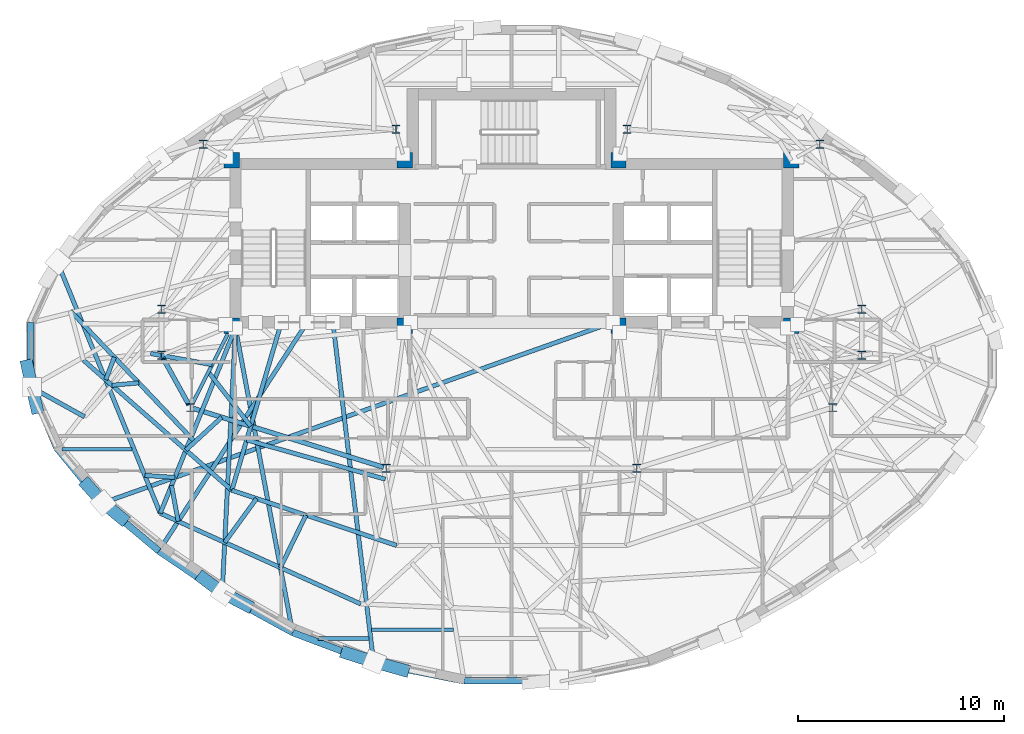
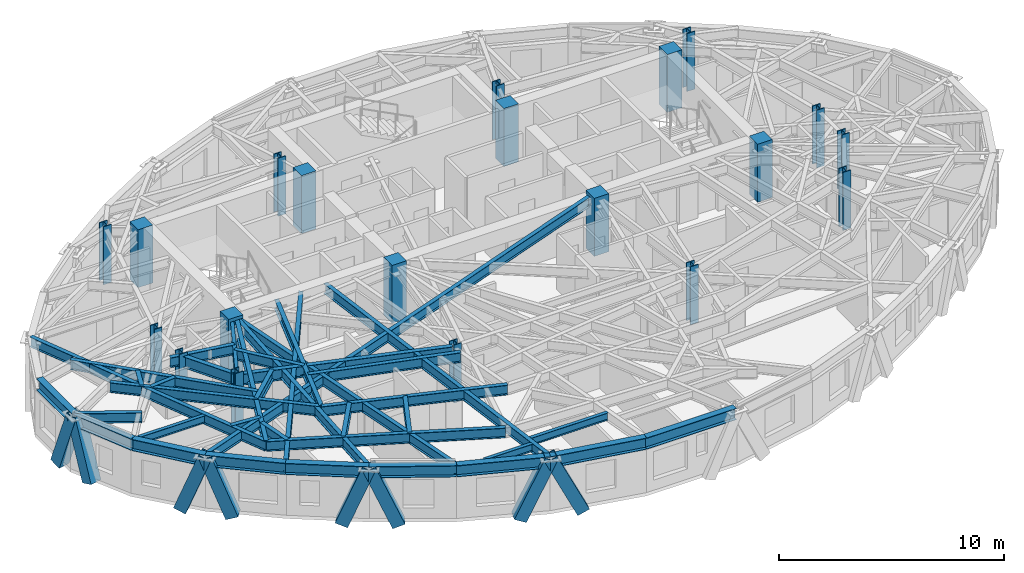
# One storey, part 1 of 14: 38 beams, 20 columns, 8 members.
"""IFC4 building model written with IfcOpenShell, lengths in metres."""

from ifc_helpers import new_model, si_unit, direction, frame, origin, origin_2d, place, context, subcontext, project, spatial, rectangle, hollow_rectangle, i_section, extrude, material, material_profile, profile_set, type_object, element, save


model = new_model("IFC4")

# Units and contexts
model_context = context("Model", 3, precision=1e-05, world=origin(), true_north=direction((0.0, 1.0)))
body_context = subcontext(model_context, "Body", "Model", "MODEL_VIEW")
ifc_project = project(units=[si_unit("LENGTHUNIT", "METRE"), si_unit("AREAUNIT", "SQUARE_METRE"), si_unit("VOLUMEUNIT", "CUBIC_METRE"), si_unit("PLANEANGLEUNIT", "RADIAN"), si_unit("MASSUNIT", "GRAM", prefix="KILO")], contexts=[model_context])

# Site, building, storey
site_placement = place(None, origin())
site = spatial("IfcSite", under=ifc_project, at=site_placement, CompositionType="ELEMENT")
building_placement = place(site_placement, origin())
building = spatial("IfcBuilding", under=site, at=building_placement, Name="Keldmark Tower", CompositionType="ELEMENT")
storey_placement = place(building_placement, frame((0.0, 0.0, 213.14990234375)))
storey = spatial("IfcBuildingStorey", under=building, at=storey_placement, Name="L59", CompositionType="ELEMENT", Elevation=213.14990234375)

# Columns
ifc_material_1 = material(Name="Concrete C50/60", Category="concrete")
ifc_material_profile_1 = material_profile(ifc_material_1, rectangle(XDim=0.75, YDim=0.75, at=origin_2d()), Name="RC750X750")
ifc_profile_set_1 = profile_set([ifc_material_profile_1], Name="Concrete C50/60")
column_type_1 = type_object("IfcColumnType", Name="Core Boundary Column RC750", PredefinedType="PILASTER", material=ifc_profile_set_1)
for number, where, z_axis, x_axis, name in (
    (1, (-13.60009765625, 1.39990234375, 0.0), (0.0, 0.0, 1.0), (1.0, 0.0, 0.0), "L59 Core Boundary Column CC-W1"),
    (2, (-13.60009765625, 9.449951171875, 0.0), (0.0, 0.0, 1.0), (1.0, 0.0, 0.0), "L59 Core Boundary Column CC-W2"),
    (3, (-5.199951171875, 1.39990234375, 0.0), (0.0, 0.0, 1.0), (1.0, 0.0, 0.0), "L59 Core Boundary Column CC-W3"),
    (4, (-5.199951171875, 9.449951171875, 0.0), (0.0, 0.0, 1.0), (1.0, 0.0, 0.0), "L59 Core Boundary Column CC-W4"),
    (5, (5.199951171875, 1.39990234375, 0.0), (0.0, 0.0, 1.0), (1.0, 0.0, 0.0), "L59 Core Boundary Column CC-E1"),
    (6, (5.199951171875, 9.449951171875, 0.0), (0.0, 0.0, 1.0), (1.0, 0.0, 0.0), "L59 Core Boundary Column CC-E2"),
    (7, (13.60009765625, 1.39990234375, 0.0), (0.0, 0.0, 1.0), (1.0, 0.0, 0.0), "L59 Core Boundary Column CC-E3"),
    (8, (13.60009765625, 9.449951171875, 0.0), (0.0, 0.0, 1.0), (1.0, 0.0, 0.0), "L59 Core Boundary Column CC-E4"),
):
    element("IfcColumn", number, at=place(storey_placement, frame(where, z_axis=z_axis, x_axis=x_axis)), inside=storey, type_object=column_type_1, Name=name, PredefinedType="PILASTER", context=body_context, shape_type="SweptSolid", body=[
        extrude(rectangle(XDim=0.75, YDim=0.75, at=origin_2d()), origin(), (0.0, 0.0, 1.0), 3.150146484375),
    ])
ifc_material_2 = material(Name="Steel ASTM A992 Grade 50", Category="steel")
ifc_material_profile_2 = material_profile(ifc_material_2, i_section(OverallWidth=0.404052734375, OverallDepth=0.406982421875, WebThickness=0.027099609375, FlangeThickness=0.043701171875, at=origin_2d()), Name="W14X233")
ifc_profile_set_2 = profile_set([ifc_material_profile_2], Name="Steel ASTM A992 Grade 50")
column_type_2 = type_object("IfcColumnType", Name="Tower Gravity Column W14X233", PredefinedType="COLUMN", material=ifc_profile_set_2)
for number, where, z_axis, x_axis, name in (
    (9, (17.025634765625, 2.2080078125, 0.0), (0.0, 0.0, 1.0), (1.0, 0.0, 0.0), "L59 Tower Gravity Column TC-E1"),
    (10, (14.995849609375, 10.24365234375, 0.0), (0.0, 0.0, 1.0), (1.0, 0.0, 0.0), "L59 Tower Gravity Column TC-E4"),
    (11, (5.61865234375, 10.967041015625, 0.0), (0.0, 0.0, 1.0), (1.0, 0.0, 0.0), "L59 Tower Gravity Column TC-N2"),
    (12, (-5.61865234375, 10.967041015625, 0.0), (0.0, 0.0, 1.0), (1.0, 0.0, 0.0), "L59 Tower Gravity Column TC-N1"),
    (13, (-14.995849609375, 10.24365234375, 0.0), (0.0, 0.0, 1.0), (1.0, 0.0, 0.0), "L59 Tower Gravity Column TC-W4"),
    (14, (-17.025634765625, 2.2080078125, 0.0), (0.0, 0.0, 1.0), (1.0, 0.0, 0.0), "L59 Tower Gravity Column TC-W1"),
    (15, (-17.025634765625, -0.02392578125, 0.0), (0.0, 0.0, 1.0), (1.0, 0.0, 0.0), "L59 Tower Gravity Column TC-W5"),
    (16, (-15.6162109375, -2.5673828125, 0.0), (0.0, 0.0, 1.0), (1.0, 0.0, 0.0), "L59 Tower Gravity Column TC-W2"),
    (17, (-6.089599609375, -5.512939453125, 0.0), (0.0, 0.0, 1.0), (1.0, 0.0, 0.0), "L59 Tower Gravity Column TC-W3"),
    (18, (6.089599609375, -5.512939453125, 0.0), (0.0, 0.0, 1.0), (1.0, 0.0, 0.0), "L59 Tower Gravity Column TC-E3"),
    (19, (15.6162109375, -2.5673828125, 0.0), (0.0, 0.0, 1.0), (1.0, 0.0, 0.0), "L59 Tower Gravity Column TC-E2"),
    (20, (17.025634765625, -0.02392578125, 0.0), (0.0, 0.0, 1.0), (1.0, 0.0, 0.0), "L59 Tower Gravity Column TC-E5"),
):
    element("IfcColumn", number, at=place(storey_placement, frame(where, z_axis=z_axis, x_axis=x_axis)), inside=storey, type_object=column_type_2, Name=name, PredefinedType="COLUMN", context=body_context, shape_type="SweptSolid", body=[
        extrude(i_section(OverallWidth=0.404052734375, OverallDepth=0.406982421875, WebThickness=0.027099609375, FlangeThickness=0.043701171875, at=origin_2d()), origin(), (0.0, 0.0, 1.0), 3.150146484375),
    ])

# Beams
ifc_material_3 = material(Name="Steel ASTM A992 Grade 50", Category="steel")
ifc_material_profile_3 = material_profile(ifc_material_3, i_section(OverallWidth=0.177978515625, OverallDepth=0.403076171875, WebThickness=0.007568359375, FlangeThickness=0.010986328125, at=origin_2d()), Name="W16X36")
ifc_profile_set_3 = profile_set([ifc_material_profile_3], Name="Steel ASTM A992 Grade 50")
beam_type_1 = type_object("IfcBeamType", Name="Composite Floor Joist W16X36", PredefinedType="JOIST", material=ifc_profile_set_3)
beam_1_placement = place(storey_placement, frame((-9.421875, -13.800048828125, 2.7685546875), z_axis=(1.0, 0.0, 0.0), x_axis=(0.0, 1.0, 0.0)))
element("IfcBeam", 21, at=beam_1_placement, inside=storey, type_object=beam_type_1, Name="L59 Composite Floor Joist J01", PredefinedType="JOIST", context=body_context, shape_type="SweptSolid", body=[
    extrude(i_section(OverallWidth=0.177978515625, OverallDepth=0.403076171875, WebThickness=0.007568359375, FlangeThickness=0.010986328125, at=origin_2d()), origin(), (0.0, 0.0, 1.0), 2.478515625),
])
beam_2_placement = place(storey_placement, frame((-6.80029296875, -13.3798828125, 2.7685546875), z_axis=(1.0, 0.0, 0.0), x_axis=(0.0, 1.0, 0.0)))
element("IfcBeam", 22, at=beam_2_placement, inside=storey, type_object=beam_type_1, Name="L59 Composite Floor Joist J02", PredefinedType="JOIST", context=body_context, shape_type="SweptSolid", body=[
    extrude(i_section(OverallWidth=0.177978515625, OverallDepth=0.403076171875, WebThickness=0.007568359375, FlangeThickness=0.010986328125, at=origin_2d()), origin(), (0.0, 0.0, 1.0), 3.981201171875),
])
beam_3_placement = place(storey_placement, frame((-21.857421875, -4.60009765625, 2.7685546875), z_axis=(1.0, 0.0, 0.0), x_axis=(0.0, 1.0, 0.0)))
element("IfcBeam", 23, at=beam_3_placement, inside=storey, type_object=beam_type_1, Name="L59 Composite Floor Joist J05", PredefinedType="JOIST", context=body_context, shape_type="SweptSolid", body=[
    extrude(i_section(OverallWidth=0.177978515625, OverallDepth=0.403076171875, WebThickness=0.007568359375, FlangeThickness=0.010986328125, at=origin_2d()), origin(), (0.0, 0.0, 1.0), 3.39892578125),
])

# Members
ifc_material_4 = material(Name="Steel ASTM A572 Grade 50", Category="steel")
ifc_material_profile_4 = material_profile(ifc_material_4, hollow_rectangle(XDim=0.60009765625, YDim=0.60009765625, WallThickness=0.034912109375, at=origin_2d()), Name="BOX600X600X35")
ifc_profile_set_4 = profile_set([ifc_material_profile_4], Name="Steel ASTM A572 Grade 50")
member_type = type_object("IfcMemberType", Name="Diagrid Zone 4 Brace BOX600X600X35", PredefinedType="BRACE", material=ifc_profile_set_4)
member_1_placement = place(storey_placement, frame((-23.54931640625, -0.531494140625, -0.260009765625), z_axis=(0.068502919158, -0.315395761199, 0.946484476304), x_axis=(0.97721582246, 0.212248053783, 0.0)))
element("IfcMember", 24, at=member_1_placement, inside=storey, type_object=member_type, Name="L59 Perimeter Diagrid Brace 08B", PredefinedType="BRACE", context=body_context, shape_type="SweptSolid", body=[
    extrude(hollow_rectangle(XDim=0.60009765625, YDim=0.60009765625, WallThickness=0.034912109375, at=origin_2d()), origin(), (0.0, 0.0, 1.0), 3.285888671875),
])
member_2_placement = place(storey_placement, frame((-23.090576171875, -2.5703125, -0.260009765625), z_axis=(-0.071240844501, 0.309231419076, 0.948314647957), x_axis=(-0.974474157233, -0.224499703532, 0.0)))
element("IfcMember", 25, at=member_2_placement, inside=storey, type_object=member_type, Name="L59 Perimeter Diagrid Brace 09A", PredefinedType="BRACE", context=body_context, shape_type="SweptSolid", body=[
    extrude(hollow_rectangle(XDim=0.60009765625, YDim=0.60009765625, WallThickness=0.034912109375, at=origin_2d()), origin(), (0.0, 0.0, 1.0), 3.279541015625),
])
member_3_placement = place(storey_placement, frame((-20.645263671875, -6.325927734375, -0.260009765625), z_axis=(0.236178134842, -0.263709002286, 0.935241920968), x_axis=(0.744921219143, 0.667152439305, 0.0)))
element("IfcMember", 26, at=member_3_placement, inside=storey, type_object=member_type, Name="L59 Perimeter Diagrid Brace 09B", PredefinedType="BRACE", context=body_context, shape_type="SweptSolid", body=[
    extrude(hollow_rectangle(XDim=0.60009765625, YDim=0.60009765625, WallThickness=0.034912109375, at=origin_2d()), origin(), (0.0, 0.0, 1.0), 3.325439453125),
])
member_4_placement = place(storey_placement, frame((-18.9375, -7.96240234375, -0.260009765625), z_axis=(-0.277921853102, 0.230930589027, 0.932432574839), x_axis=(-0.639087912898, -0.769133694222, 0.0)))
element("IfcMember", 27, at=member_4_placement, inside=storey, type_object=member_type, Name="L59 Perimeter Diagrid Brace 10A", PredefinedType="BRACE", context=body_context, shape_type="SweptSolid", body=[
    extrude(hollow_rectangle(XDim=0.60009765625, YDim=0.60009765625, WallThickness=0.034912109375, at=origin_2d()), origin(), (0.0, 0.0, 1.0), 3.33544921875),
])
member_5_placement = place(storey_placement, frame((-15.006103515625, -10.8642578125, -0.260009765625), z_axis=(0.293317377522, -0.217759288743, 0.930884422584), x_axis=(0.596088275288, 0.802918905036, 0.0)))
element("IfcMember", 28, at=member_5_placement, inside=storey, type_object=member_type, Name="L59 Perimeter Diagrid Brace 10B", PredefinedType="BRACE", context=body_context, shape_type="SweptSolid", body=[
    extrude(hollow_rectangle(XDim=0.60009765625, YDim=0.60009765625, WallThickness=0.034912109375, at=origin_2d()), origin(), (0.0, 0.0, 1.0), 3.341064453125),
])
member_6_placement = place(storey_placement, frame((-12.867919921875, -12.19140625, -0.260009765625), z_axis=(-0.345442367388, 0.180023335035, 0.921010949803), x_axis=(-0.462147317946, -0.886803166726, 0.0)))
element("IfcMember", 29, at=member_6_placement, inside=storey, type_object=member_type, Name="L59 Perimeter Diagrid Brace 11A", PredefinedType="BRACE", context=body_context, shape_type="SweptSolid", body=[
    extrude(hollow_rectangle(XDim=0.60009765625, YDim=0.60009765625, WallThickness=0.034912109375, at=origin_2d()), origin(), (0.0, 0.0, 1.0), 3.376953125),
])
member_7_placement = place(storey_placement, frame((-8.02001953125, -14.50732421875, -0.260009765625), z_axis=(0.393530898257, -0.125815509706, 0.910661237582), x_axis=(0.304524591203, 0.95250447419, 0.0)))
element("IfcMember", 30, at=member_7_placement, inside=storey, type_object=member_type, Name="L59 Perimeter Diagrid Brace 11B", PredefinedType="BRACE", context=body_context, shape_type="SweptSolid", body=[
    extrude(hollow_rectangle(XDim=0.60009765625, YDim=0.60009765625, WallThickness=0.034912109375, at=origin_2d()), origin(), (0.0, 0.0, 1.0), 3.415283203125),
])
member_8_placement = place(storey_placement, frame((-5.25390625, -15.3330078125, -0.260009765625), z_axis=(-0.4156658621, 0.116131518542, 0.902072813849), x_axis=(-0.269082155507, -0.963117227334, 0.0)))
element("IfcMember", 31, at=member_8_placement, inside=storey, type_object=member_type, Name="L59 Perimeter Diagrid Brace 12A", PredefinedType="BRACE", context=body_context, shape_type="SweptSolid", body=[
    extrude(hollow_rectangle(XDim=0.60009765625, YDim=0.60009765625, WallThickness=0.034912109375, at=origin_2d()), origin(), (0.0, 0.0, 1.0), 3.44775390625),
])

# Beams
ifc_material_5 = material(Name="Steel ASTM A992 Grade 50", Category="steel")
ifc_material_profile_5 = material_profile(ifc_material_5, i_section(OverallWidth=0.22802734375, OverallDepth=0.60302734375, WebThickness=0.010498046875, FlangeThickness=0.014892578125, at=origin_2d()), Name="W24X68")
ifc_profile_set_5 = profile_set([ifc_material_profile_5], Name="Steel ASTM A992 Grade 50")
beam_type_2 = type_object("IfcBeamType", Name="Primary Floor Girder W24X68", PredefinedType="BEAM", material=ifc_profile_set_5)
beam_4_placement = place(storey_placement, frame((-16.957763671875, -0.146484375, 2.668701171875), z_axis=(0.484719680408, -0.874669555561, 0.0), x_axis=(0.874669555561, 0.484719680408, 0.0)))
element("IfcBeam", 32, at=beam_4_placement, inside=storey, type_object=beam_type_2, Name="L59 Floor Ring Girder FG-R07", PredefinedType="BEAM", context=body_context, shape_type="SweptSolid", body=[
    extrude(i_section(OverallWidth=0.22802734375, OverallDepth=0.60302734375, WebThickness=0.010498046875, FlangeThickness=0.014892578125, at=origin_2d()), origin(), (0.0, 0.0, 1.0), 2.627685546875),
])
beam_5_placement = place(storey_placement, frame((-15.482421875, -2.60888671875, 2.668701171875), z_axis=(0.955383255089, -0.295368982622, 0.0), x_axis=(0.295368982622, 0.955383255089, 0.0)))
element("IfcBeam", 33, at=beam_5_placement, inside=storey, type_object=beam_type_2, Name="L59 Floor Ring Girder FG-R08", PredefinedType="BEAM", context=body_context, shape_type="SweptSolid", body=[
    extrude(i_section(OverallWidth=0.22802734375, OverallDepth=0.60302734375, WebThickness=0.010498046875, FlangeThickness=0.014892578125, at=origin_2d()), origin(), (0.0, 0.0, 1.0), 9.69140625),
])
ifc_material_6 = material(Name="Steel ASTM A992 Grade 50", Category="steel")
ifc_material_profile_6 = material_profile(ifc_material_6, i_section(OverallWidth=0.166015625, OverallDepth=0.529052734375, WebThickness=0.009765625, FlangeThickness=0.013671875, at=origin_2d()), Name="W21X50")
ifc_profile_set_6 = profile_set([ifc_material_profile_6], Name="Steel ASTM A992 Grade 50")
beam_type_3 = type_object("IfcBeamType", Name="Radial Tie Girder W21X50", PredefinedType="BEAM", material=ifc_profile_set_6)
beam_6_placement = place(storey_placement, frame((-15.552734375, -2.442626953125, 2.70556640625), z_axis=(0.453004410574, 0.89150827478, 0.0), x_axis=(-0.89150827478, 0.453004410574, 0.0)))
element("IfcBeam", 34, at=beam_6_placement, inside=storey, type_object=beam_type_3, Name="L59 Floor Radial Girder FG-C08", PredefinedType="BEAM", context=body_context, shape_type="SweptSolid", body=[
    extrude(i_section(OverallWidth=0.166015625, OverallDepth=0.529052734375, WebThickness=0.009765625, FlangeThickness=0.013671875, at=origin_2d()), origin(), (0.0, 0.0, 1.0), 3.990234375),
])
ifc_material_7 = material(Name="Steel ASTM A992 Grade 50", Category="steel")
ifc_material_profile_7 = material_profile(ifc_material_7, i_section(OverallWidth=0.2099609375, OverallDepth=0.537109375, WebThickness=0.010986328125, FlangeThickness=0.017333984375, at=origin_2d()), Name="W21X68")
ifc_profile_set_7 = profile_set([ifc_material_profile_7], Name="Steel ASTM A992 Grade 50")
beam_type_4 = type_object("IfcBeamType", Name="Radial Tie Girder W21X68", PredefinedType="BEAM", material=ifc_profile_set_7)
beam_7_placement = place(storey_placement, frame((-14.55859375, -0.486083984375, 2.70166015625), z_axis=(-0.983785097233, 0.1793512823, 0.0), x_axis=(-0.1793512823, -0.983785097233, 0.0)))
element("IfcBeam", 35, at=beam_7_placement, inside=storey, type_object=beam_type_4, Name="L59 Framing Pin Header PH-001", PredefinedType="BEAM", context=body_context, shape_type="SweptSolid", body=[
    extrude(i_section(OverallWidth=0.2099609375, OverallDepth=0.537109375, WebThickness=0.010986328125, FlangeThickness=0.017333984375, at=origin_2d()), origin(), (0.0, 0.0, 1.0), 3.043701171875),
])
beam_8_placement = place(storey_placement, frame((-14.7392578125, -0.841796875, 2.70166015625), z_axis=(0.615598661566, -0.788059825063, 0.0), x_axis=(0.788059825063, 0.615598661566, 0.0)))
element("IfcBeam", 36, at=beam_8_placement, inside=storey, type_object=beam_type_4, Name="L59 Framing Pin Header PH-002", PredefinedType="BEAM", context=body_context, shape_type="SweptSolid", body=[
    extrude(i_section(OverallWidth=0.2099609375, OverallDepth=0.537109375, WebThickness=0.010986328125, FlangeThickness=0.017333984375, at=origin_2d()), origin(), (0.0, 0.0, 1.0), 3.3408203125),
])
beam_9_placement = place(storey_placement, frame((-11.19287109375, 1.574951171875, 2.70166015625), z_axis=(-0.282943960261, -0.959136442511, 0.0), x_axis=(0.959136442511, -0.282943960261, 0.0)))
element("IfcBeam", 37, at=beam_9_placement, inside=storey, type_object=beam_type_4, Name="L59 Sub-Ring Step Girder STP1-M08", PredefinedType="BEAM", context=body_context, shape_type="SweptSolid", body=[
    extrude(i_section(OverallWidth=0.2099609375, OverallDepth=0.537109375, WebThickness=0.010986328125, FlangeThickness=0.017333984375, at=origin_2d()), origin(), (0.0, 0.0, 1.0), 8.5146484375),
])
beam_10_placement = place(storey_placement, frame((-12.87939453125, -4.141845703125, 2.70166015625), z_axis=(0.962202083629, -0.272336465169, 0.0), x_axis=(0.272336465169, 0.962202083629, 0.0)))
element("IfcBeam", 38, at=beam_10_placement, inside=storey, type_object=beam_type_4, Name="L59 Framing Pin Header PH-003", PredefinedType="BEAM", context=body_context, shape_type="SweptSolid", body=[
    extrude(i_section(OverallWidth=0.2099609375, OverallDepth=0.537109375, WebThickness=0.010986328125, FlangeThickness=0.017333984375, at=origin_2d()), origin(), (0.0, 0.0, 1.0), 7.0068359375),
])
beam_11_placement = place(storey_placement, frame((-20.81640625, -0.267822265625, 2.70166015625), z_axis=(0.751986811444, -0.6591781515, 0.0), x_axis=(0.6591781515, 0.751986811444, 0.0)))
element("IfcBeam", 39, at=beam_11_placement, inside=storey, type_object=beam_type_4, Name="L59 Perimeter Collector Ring Beam CRG1-M07", PredefinedType="BEAM", context=body_context, shape_type="SweptSolid", body=[
    extrude(i_section(OverallWidth=0.2099609375, OverallDepth=0.537109375, WebThickness=0.010986328125, FlangeThickness=0.017333984375, at=origin_2d()), origin(), (0.0, 0.0, 1.0), 9.59375),
])
beam_12_placement = place(storey_placement, frame((-13.60205078125, -6.591796875, 2.70166015625), z_axis=(0.948257681045, -0.317501764309, 0.0), x_axis=(0.317501764309, 0.948257681045, 0.0)))
element("IfcBeam", 40, at=beam_12_placement, inside=storey, type_object=beam_type_4, Name="L59 Perimeter Collector Ring Beam CRG1-M08", PredefinedType="BEAM", context=body_context, shape_type="SweptSolid", body=[
    extrude(i_section(OverallWidth=0.2099609375, OverallDepth=0.537109375, WebThickness=0.010986328125, FlangeThickness=0.017333984375, at=origin_2d()), origin(), (0.0, 0.0, 1.0), 8.44921875),
])
beam_13_placement = place(storey_placement, frame((-14.093505859375, -3.0380859375, 2.70166015625), z_axis=(-0.736935327455, -0.675963255768, 0.0), x_axis=(0.675963255768, -0.736935327455, 0.0)))
element("IfcBeam", 41, at=beam_13_placement, inside=storey, type_object=beam_type_4, Name="L59 Framing Pin Header PH-008", PredefinedType="BEAM", context=body_context, shape_type="SweptSolid", body=[
    extrude(i_section(OverallWidth=0.2099609375, OverallDepth=0.537109375, WebThickness=0.010986328125, FlangeThickness=0.017333984375, at=origin_2d()), origin(), (0.0, 0.0, 1.0), 2.362548828125),
])
beam_14_placement = place(storey_placement, frame((-13.425048828125, 1.300048828125, 2.70166015625), z_axis=(-0.376123061296, -0.926569718241, 0.0), x_axis=(0.926569718241, -0.376123061296, 0.0)))
element("IfcBeam", 42, at=beam_14_placement, inside=storey, type_object=beam_type_4, Name="L59 Sub-Ring Step Girder STP2-M08", PredefinedType="BEAM", context=body_context, shape_type="SweptSolid", body=[
    extrude(i_section(OverallWidth=0.2099609375, OverallDepth=0.537109375, WebThickness=0.010986328125, FlangeThickness=0.017333984375, at=origin_2d()), origin(), (0.0, 0.0, 1.0), 9.720947265625),
])
beam_15_placement = place(storey_placement, frame((-17.081298828125, -7.70703125, 2.70166015625), z_axis=(0.911066095649, -0.412260317468, 0.0), x_axis=(0.412260317468, 0.911066095649, 0.0)))
element("IfcBeam", 43, at=beam_15_placement, inside=storey, type_object=beam_type_4, Name="L59 Perimeter Collector Ring Beam CRG2-M08", PredefinedType="BEAM", context=body_context, shape_type="SweptSolid", body=[
    extrude(i_section(OverallWidth=0.2099609375, OverallDepth=0.537109375, WebThickness=0.010986328125, FlangeThickness=0.017333984375, at=origin_2d()), origin(), (0.0, 0.0, 1.0), 10.699951171875),
])
beam_16_placement = place(storey_placement, frame((-19.734375, -1.21630859375, 2.70166015625), z_axis=(0.35700438787, 0.934102706902, 0.0), x_axis=(-0.934102706902, 0.35700438787, 0.0)))
element("IfcBeam", 44, at=beam_16_placement, inside=storey, type_object=beam_type_4, Name="L59 Framing Pin Header PH-018", PredefinedType="BEAM", context=body_context, shape_type="SweptSolid", body=[
    extrude(i_section(OverallWidth=0.2099609375, OverallDepth=0.537109375, WebThickness=0.010986328125, FlangeThickness=0.017333984375, at=origin_2d()), origin(), (0.0, 0.0, 1.0), 1.177001953125),
])
beam_17_placement = place(storey_placement, frame((-15.399169921875, -4.23583984375, 2.70166015625), z_axis=(-0.688934723396, 0.724823390144, 0.0), x_axis=(-0.724823390144, -0.688934723396, 0.0)))
element("IfcBeam", 45, at=beam_17_placement, inside=storey, type_object=beam_type_4, Name="L59 Intermediate Radial Step Girder RT-15M", PredefinedType="BEAM", context=body_context, shape_type="SweptSolid", body=[
    extrude(i_section(OverallWidth=0.2099609375, OverallDepth=0.537109375, WebThickness=0.010986328125, FlangeThickness=0.017333984375, at=origin_2d()), origin(), (0.0, 0.0, 1.0), 8.7958984375),
])
beam_18_placement = place(storey_placement, frame((-17.081298828125, -7.70703125, 2.70166015625), z_axis=(-0.379098689198, 0.925356246993, 0.0), x_axis=(-0.925356246993, -0.379098689198, 0.0)))
element("IfcBeam", 46, at=beam_18_placement, inside=storey, type_object=beam_type_4, Name="L59 Perimeter Radial Tie Girder RT-15", PredefinedType="BEAM", context=body_context, shape_type="SweptSolid", body=[
    extrude(i_section(OverallWidth=0.2099609375, OverallDepth=0.537109375, WebThickness=0.010986328125, FlangeThickness=0.017333984375, at=origin_2d()), origin(), (0.0, 0.0, 1.0), 13.24267578125),
])
beam_19_placement = place(storey_placement, frame((-18.126220703125, -1.366943359375, 2.70166015625), z_axis=(-0.995960259812, -0.089795104962, 0.0), x_axis=(0.089795104962, -0.995960259812, 0.0)))
element("IfcBeam", 47, at=beam_19_placement, inside=storey, type_object=beam_type_4, Name="L59 Framing Pin Header PH-020", PredefinedType="BEAM", context=body_context, shape_type="SweptSolid", body=[
    extrude(i_section(OverallWidth=0.2099609375, OverallDepth=0.537109375, WebThickness=0.010986328125, FlangeThickness=0.017333984375, at=origin_2d()), origin(), (0.0, 0.0, 1.0), 1.307861328125),
])
beam_20_placement = place(storey_placement, frame((-23.384033203125, -1.56201171875, 2.70166015625), z_axis=(0.874164953919, -0.485629110887, 0.0), x_axis=(0.485629110887, 0.874164953919, 0.0)))
element("IfcBeam", 48, at=beam_20_placement, inside=storey, type_object=beam_type_4, Name="L59 Local Collector Chord RT-18C", PredefinedType="BEAM", context=body_context, shape_type="SweptSolid", body=[
    extrude(i_section(OverallWidth=0.2099609375, OverallDepth=0.537109375, WebThickness=0.010986328125, FlangeThickness=0.017333984375, at=origin_2d()), origin(), (0.0, 0.0, 1.0), 2.999755859375),
])
beam_21_placement = place(storey_placement, frame((-17.83447265625, -5.868896484375, 2.70166015625), z_axis=(0.997791798649, -0.06641932361, 0.0), x_axis=(0.06641932361, 0.997791798649, 0.0)))
element("IfcBeam", 49, at=beam_21_placement, inside=storey, type_object=beam_type_4, Name="L59 Framing Pin Header PH-021", PredefinedType="BEAM", context=body_context, shape_type="SweptSolid", body=[
    extrude(i_section(OverallWidth=0.2099609375, OverallDepth=0.537109375, WebThickness=0.010986328125, FlangeThickness=0.017333984375, at=origin_2d()), origin(), (0.0, 0.0, 1.0), 1.462890625),
])
beam_22_placement = place(storey_placement, frame((4.925048828125, 1.574951171875, 2.70166015625), z_axis=(-0.942661839984, -0.333749390169, 0.0), x_axis=(0.333749390169, -0.942661839984, 0.0)))
element("IfcBeam", 50, at=beam_22_placement, inside=storey, type_object=beam_type_4, Name="L59 Perimeter Radial Tie Girder RT-19", PredefinedType="BEAM", context=body_context, shape_type="SweptSolid", body=[
    extrude(i_section(OverallWidth=0.2099609375, OverallDepth=0.537109375, WebThickness=0.010986328125, FlangeThickness=0.017333984375, at=origin_2d()), origin(), (0.0, 0.0, 1.0), 26.353271484375),
])
beam_23_placement = place(storey_placement, frame((-16.532958984375, -6.35595703125, 2.70166015625), z_axis=(0.181246494522, -0.983437699208, 0.0), x_axis=(0.983437699208, 0.181246494522, 0.0)))
element("IfcBeam", 51, at=beam_23_placement, inside=storey, type_object=beam_type_4, Name="L59 Framing Pin Header PH-022", PredefinedType="BEAM", context=body_context, shape_type="SweptSolid", body=[
    extrude(i_section(OverallWidth=0.2099609375, OverallDepth=0.537109375, WebThickness=0.010986328125, FlangeThickness=0.017333984375, at=origin_2d()), origin(), (0.0, 0.0, 1.0), 1.77392578125),
])
beam_24_placement = place(storey_placement, frame((-9.939208984375, 1.574951171875, 2.70166015625), z_axis=(-0.543961521832, -0.839110161282, 0.0), x_axis=(0.839110161282, -0.543961521832, 0.0)))
element("IfcBeam", 52, at=beam_24_placement, inside=storey, type_object=beam_type_4, Name="L59 Perimeter Radial Tie Girder RT-20", PredefinedType="BEAM", context=body_context, shape_type="SweptSolid", body=[
    extrude(i_section(OverallWidth=0.2099609375, OverallDepth=0.537109375, WebThickness=0.010986328125, FlangeThickness=0.017333984375, at=origin_2d()), origin(), (0.0, 0.0, 1.0), 13.25146484375),
])
beam_25_placement = place(storey_placement, frame((-12.400390625, -6.994384765625, 2.70166015625), z_axis=(-0.587465809138, -0.809248987083, 0.0), x_axis=(0.809248987083, -0.587465809138, 0.0)))
element("IfcBeam", 53, at=beam_25_placement, inside=storey, type_object=beam_type_4, Name="L59 Framing Pin Header PH-023", PredefinedType="BEAM", context=body_context, shape_type="SweptSolid", body=[
    extrude(i_section(OverallWidth=0.2099609375, OverallDepth=0.537109375, WebThickness=0.010986328125, FlangeThickness=0.017333984375, at=origin_2d()), origin(), (0.0, 0.0, 1.0), 2.633056640625),
])
beam_26_placement = place(storey_placement, frame((-13.425048828125, 1.300048828125, 2.70166015625), z_axis=(-0.050011920897, -0.998748620909, 0.0), x_axis=(0.998748620909, -0.050011920897, 0.0)))
element("IfcBeam", 54, at=beam_26_placement, inside=storey, type_object=beam_type_4, Name="L59 Perimeter Radial Tie Girder RT-21", PredefinedType="BEAM", context=body_context, shape_type="SweptSolid", body=[
    extrude(i_section(OverallWidth=0.2099609375, OverallDepth=0.537109375, WebThickness=0.010986328125, FlangeThickness=0.017333984375, at=origin_2d()), origin(), (0.0, 0.0, 1.0), 12.946044921875),
])
beam_27_placement = place(storey_placement, frame((-9.99658203125, -7.799072265625, 2.70166015625), z_axis=(-0.437621760917, -0.899159159644, 0.0), x_axis=(0.899159159644, -0.437621760917, 0.0)))
element("IfcBeam", 55, at=beam_27_placement, inside=storey, type_object=beam_type_4, Name="L59 Framing Pin Header PH-024", PredefinedType="BEAM", context=body_context, shape_type="SweptSolid", body=[
    extrude(i_section(OverallWidth=0.2099609375, OverallDepth=0.537109375, WebThickness=0.010986328125, FlangeThickness=0.017333984375, at=origin_2d()), origin(), (0.0, 0.0, 1.0), 2.837890625),
])
beam_28_placement = place(storey_placement, frame((-13.425048828125, 1.300048828125, 2.70166015625), z_axis=(0.184448002602, -0.982842273377, 0.0), x_axis=(0.982842273377, 0.184448002602, 0.0)))
element("IfcBeam", 56, at=beam_28_placement, inside=storey, type_object=beam_type_4, Name="L59 Perimeter Radial Tie Girder RT-22", PredefinedType="BEAM", context=body_context, shape_type="SweptSolid", body=[
    extrude(i_section(OverallWidth=0.2099609375, OverallDepth=0.537109375, WebThickness=0.010986328125, FlangeThickness=0.017333984375, at=origin_2d()), origin(), (0.0, 0.0, 1.0), 15.06689453125),
])
beam_29_placement = place(storey_placement, frame((-8.685791015625, 1.574951171875, 2.70166015625), z_axis=(0.118770127466, -0.992921777796, 0.0), x_axis=(0.992921777796, 0.118770127466, 0.0)))
element("IfcBeam", 57, at=beam_29_placement, inside=storey, type_object=beam_type_4, Name="L59 Perimeter Radial Tie Girder RT-23", PredefinedType="BEAM", context=body_context, shape_type="SweptSolid", body=[
    extrude(i_section(OverallWidth=0.2099609375, OverallDepth=0.537109375, WebThickness=0.010986328125, FlangeThickness=0.017333984375, at=origin_2d()), origin(), (0.0, 0.0, 1.0), 16.68310546875),
])
ifc_material_8 = material(Name="Steel ASTM A992 Grade 50", Category="steel")
ifc_material_profile_8 = material_profile(ifc_material_8, i_section(OverallWidth=0.326904296875, OverallDepth=0.6220703125, WebThickness=0.015380859375, FlangeThickness=0.0244140625, at=origin_2d()), Name="W24X131")
ifc_profile_set_8 = profile_set([ifc_material_profile_8], Name="Steel ASTM A992 Grade 50")
beam_type_5 = type_object("IfcBeamType", Name="Spandrel Ring Beam W24X131", PredefinedType="SPANDREL", material=ifc_profile_set_8)
beam_30_placement = place(storey_placement, frame((-23.384033203125, 1.56201171875, 2.6591796875), z_axis=(0.0, -1.0, 0.0), x_axis=(1.0, 0.0, 0.0)))
element("IfcBeam", 58, at=beam_30_placement, inside=storey, type_object=beam_type_5, Name="L59 Perimeter Spandrel Ring Beam SRB-16", PredefinedType="SPANDREL", context=body_context, shape_type="SweptSolid", body=[
    extrude(i_section(OverallWidth=0.326904296875, OverallDepth=0.6220703125, WebThickness=0.015380859375, FlangeThickness=0.0244140625, at=origin_2d()), origin(), (0.0, 0.0, 1.0), 3.1240234375),
])
beam_31_placement = place(storey_placement, frame((-23.384033203125, -1.56201171875, 2.6591796875), z_axis=(0.394735370712, -0.918794855835, 0.0), x_axis=(0.918794855835, 0.394735370712, 0.0)))
element("IfcBeam", 59, at=beam_31_placement, inside=storey, type_object=beam_type_5, Name="L59 Perimeter Spandrel Ring Beam SRB-17", PredefinedType="SPANDREL", context=body_context, shape_type="SweptSolid", body=[
    extrude(i_section(OverallWidth=0.326904296875, OverallDepth=0.6220703125, WebThickness=0.015380859375, FlangeThickness=0.0244140625, at=origin_2d()), origin(), (0.0, 0.0, 1.0), 3.2490234375),
])
beam_32_placement = place(storey_placement, frame((-22.1015625, -4.547119140625, 2.6591796875), z_axis=(0.632725461905, -0.774376194015, 0.0), x_axis=(0.774376194015, 0.632725461905, 0.0)))
element("IfcBeam", 60, at=beam_32_placement, inside=storey, type_object=beam_type_5, Name="L59 Perimeter Spandrel Ring Beam SRB-18", PredefinedType="SPANDREL", context=body_context, shape_type="SweptSolid", body=[
    extrude(i_section(OverallWidth=0.326904296875, OverallDepth=0.6220703125, WebThickness=0.015380859375, FlangeThickness=0.0244140625, at=origin_2d()), origin(), (0.0, 0.0, 1.0), 3.4521484375),
])
beam_33_placement = place(storey_placement, frame((-19.917236328125, -7.220458984375, 2.6591796875), z_axis=(0.766063904081, -0.642764416302, 0.0), x_axis=(0.642764416302, 0.766063904081, 0.0)))
element("IfcBeam", 61, at=beam_33_placement, inside=storey, type_object=beam_type_5, Name="L59 Perimeter Spandrel Ring Beam SRB-19", PredefinedType="SPANDREL", context=body_context, shape_type="SweptSolid", body=[
    extrude(i_section(OverallWidth=0.326904296875, OverallDepth=0.6220703125, WebThickness=0.015380859375, FlangeThickness=0.0244140625, at=origin_2d()), origin(), (0.0, 0.0, 1.0), 3.615478515625),
])
beam_34_placement = place(storey_placement, frame((-17.1474609375, -9.54443359375, 2.6591796875), z_axis=(0.827616407823, -0.56129411319, 0.0), x_axis=(0.56129411319, 0.827616407823, 0.0)))
element("IfcBeam", 62, at=beam_34_placement, inside=storey, type_object=beam_type_5, Name="L59 Perimeter Spandrel Ring Beam SRB-20", PredefinedType="SPANDREL", context=body_context, shape_type="SweptSolid", body=[
    extrude(i_section(OverallWidth=0.326904296875, OverallDepth=0.6220703125, WebThickness=0.015380859375, FlangeThickness=0.0244140625, at=origin_2d()), origin(), (0.0, 0.0, 1.0), 3.71533203125),
])
beam_35_placement = place(storey_placement, frame((-14.072509765625, -11.6298828125, 2.6591796875), z_axis=(0.87688122565, -0.480707100117, 0.0), x_axis=(0.480707100117, 0.87688122565, 0.0)))
element("IfcBeam", 63, at=beam_35_placement, inside=storey, type_object=beam_type_5, Name="L59 Perimeter Spandrel Ring Beam SRB-21", PredefinedType="SPANDREL", context=body_context, shape_type="SweptSolid", body=[
    extrude(i_section(OverallWidth=0.326904296875, OverallDepth=0.6220703125, WebThickness=0.015380859375, FlangeThickness=0.0244140625, at=origin_2d()), origin(), (0.0, 0.0, 1.0), 3.90771484375),
])
beam_36_placement = place(storey_placement, frame((-10.64599609375, -13.50830078125, 2.6591796875), z_axis=(0.936050112936, -0.351866716346, 0.0), x_axis=(0.351866716346, 0.936050112936, 0.0)))
element("IfcBeam", 64, at=beam_36_placement, inside=storey, type_object=beam_type_5, Name="L59 Perimeter Spandrel Ring Beam SRB-22", PredefinedType="SPANDREL", context=body_context, shape_type="SweptSolid", body=[
    extrude(i_section(OverallWidth=0.326904296875, OverallDepth=0.6220703125, WebThickness=0.015380859375, FlangeThickness=0.0244140625, at=origin_2d()), origin(), (0.0, 0.0, 1.0), 4.2109375),
])
beam_37_placement = place(storey_placement, frame((-6.704345703125, -14.989990234375, 2.6591796875), z_axis=(0.98103428966, -0.193834265574, 0.0), x_axis=(0.193834265574, 0.98103428966, 0.0)))
element("IfcBeam", 65, at=beam_37_placement, inside=storey, type_object=beam_type_5, Name="L59 Perimeter Spandrel Ring Beam SRB-23", PredefinedType="SPANDREL", context=body_context, shape_type="SweptSolid", body=[
    extrude(i_section(OverallWidth=0.326904296875, OverallDepth=0.6220703125, WebThickness=0.015380859375, FlangeThickness=0.0244140625, at=origin_2d()), origin(), (0.0, 0.0, 1.0), 4.486572265625),
])
beam_38_placement = place(storey_placement, frame((-2.302978515625, -15.859619140625, 2.6591796875), z_axis=(1.0, 0.0, 0.0), x_axis=(0.0, 1.0, 0.0)))
element("IfcBeam", 66, at=beam_38_placement, inside=storey, type_object=beam_type_5, Name="L59 Perimeter Spandrel Ring Beam SRB-24", PredefinedType="SPANDREL", context=body_context, shape_type="SweptSolid", body=[
    extrude(i_section(OverallWidth=0.326904296875, OverallDepth=0.6220703125, WebThickness=0.015380859375, FlangeThickness=0.0244140625, at=origin_2d()), origin(), (0.0, 0.0, 1.0), 4.60595703125),
])

save(model, "model.ifc")
